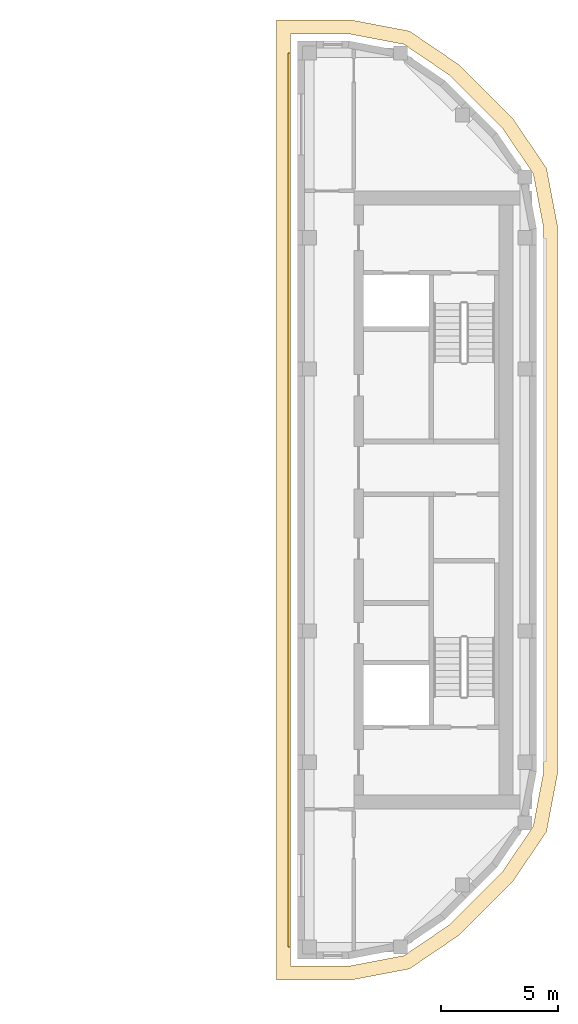
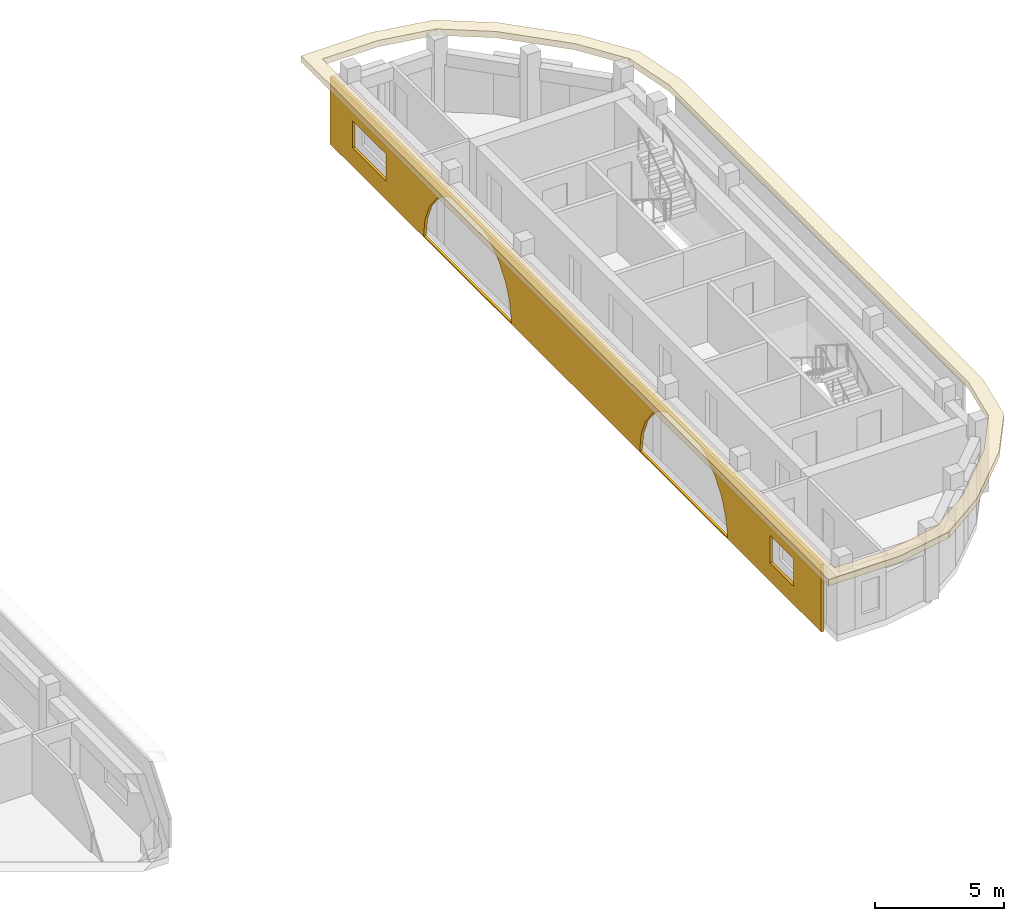
# One storey, part 10 of 12: 2 coverings.
"""IFC4 building model written with IfcOpenShell, lengths in metres."""

import ifcopenshell
import ifcopenshell.guid

model = None  # the IFC model being written
_history = None  # IfcOwnerHistory: only IFC2X3 demands one
_inside = {}  # id of a spatial element -> (the spatial element, [elements in it])
_under = {}  # id of a project, library or spatial element -> (it, [spatial elements below it])
_declared = {}  # id of a project -> (the project, [libraries it declares])
_typed = {}  # id of a type object -> (the type object, [elements of that type])
_made_of = {}  # id of a material, layer set ... -> (it, [elements and type objects made of it])


def new_model(schema):
    """Start an empty IFC model of exactly this schema.

    Asked for "IFC4X3", IfcOpenShell would pick the latest addendum, in which some entities
    have other attributes; the version numbers below select the first issue.
    IFC2X3 requires an IfcOwnerHistory on every rooted entity: one is made here for all.
    """
    global model, _history
    if schema == "IFC4X3":
        model = ifcopenshell.file(schema_version=(4, 3, 0, 0))
    else:
        model = ifcopenshell.file(schema=schema)
    _inside.clear()
    _under.clear()
    _declared.clear()
    _typed.clear()
    _made_of.clear()
    _history = None
    if model.schema == "IFC2X3":
        org = make("IfcOrganization", Name="unknown")
        user = make(
            "IfcPersonAndOrganization",
            ThePerson=make("IfcPerson", FamilyName="unknown"),
            TheOrganization=org,
        )
        app = make(
            "IfcApplication",
            ApplicationDeveloper=org,
            Version="unknown",
            ApplicationFullName="unknown",
            ApplicationIdentifier="unknown",
        )
        _history = make(
            "IfcOwnerHistory",
            OwningUser=user,
            OwningApplication=app,
            ChangeAction="ADDED",
            CreationDate=0,
        )
    return model


def make(cls, **values):
    """One entity of the class cls with the attributes given. An attribute that is None is left unset."""
    return model.create_entity(
        cls, **{name: value for name, value in values.items() if value is not None}
    )


def rooted(cls, **values):
    """An entity with a GlobalId (a new one), such as an element, a storey or a relation."""
    return make(cls, GlobalId=ifcopenshell.guid.new(), OwnerHistory=_history, **values)


def si_unit(unit_type, name, prefix=None):
    """IfcSIUnit, for example si_unit("LENGTHUNIT", "METRE", prefix="MILLI")."""
    return make("IfcSIUnit", UnitType=unit_type, Prefix=prefix, Name=name)


def assignment(units):
    """IfcUnitAssignment: the units of a project."""
    return None if units is None else make("IfcUnitAssignment", Units=units)


def point(xyz):
    """IfcCartesianPoint."""
    return None if xyz is None else make("IfcCartesianPoint", Coordinates=xyz)


def direction(xyz):
    """IfcDirection."""
    return None if xyz is None else make("IfcDirection", DirectionRatios=xyz)


def frame(location, z_axis=None, x_axis=None):
    """IfcAxis2Placement3D, a coordinate frame: its origin and axes. An axis left out is left unset."""
    return make(
        "IfcAxis2Placement3D",
        Location=point(location),
        Axis=direction(z_axis),
        RefDirection=direction(x_axis),
    )


def origin():
    """The frame at (0, 0, 0) with its axes left unset."""
    return frame((0.0, 0.0, 0.0))


def place(relative_to, where):
    """IfcLocalPlacement: puts the frame where relative to a parent placement (None: the world)."""
    return make(
        "IfcLocalPlacement", PlacementRelTo=relative_to, RelativePlacement=where
    )


def context(
    kind, dimensions, precision=None, world=None, true_north=None, identifier=None
):
    """IfcGeometricRepresentationContext, for example the 3D "Model" context."""
    return make(
        "IfcGeometricRepresentationContext",
        ContextIdentifier=identifier,
        ContextType=kind,
        CoordinateSpaceDimension=dimensions,
        Precision=precision,
        WorldCoordinateSystem=world,
        TrueNorth=true_north,
    )


def subcontext(parent, identifier, kind, view, scale=None):
    """IfcGeometricRepresentationSubContext, for example "Body" below "Model"."""
    return make(
        "IfcGeometricRepresentationSubContext",
        ContextIdentifier=identifier,
        ContextType=kind,
        ParentContext=parent,
        TargetScale=scale,
        TargetView=view,
    )


def project(units=None, contexts=None):
    """IfcProject with its units and contexts."""
    return rooted(
        "IfcProject",
        Name="project",
        RepresentationContexts=contexts,
        UnitsInContext=assignment(units),
    )


def spatial(cls, under=None, at=None, **own):
    """A site, building, storey or space (cls), placed at a placement, below another one or the project."""
    s = rooted(cls, ObjectPlacement=at, **own)
    if under is not None:
        _under.setdefault(under.id(), (under, []))[1].append(s)
    return s


def polyline(points):
    """IfcPolyline through the points."""
    return make("IfcPolyline", Points=[point(p) for p in points])


def outline(outer, holes=None, kind="AREA"):
    """IfcArbitraryClosedProfileDef: a profile drawn as a closed curve; with holes, ...WithVoids."""
    if holes is None:
        return make("IfcArbitraryClosedProfileDef", ProfileType=kind, OuterCurve=outer)
    return make(
        "IfcArbitraryProfileDefWithVoids",
        ProfileType=kind,
        OuterCurve=outer,
        InnerCurves=holes,
    )


def extrude(swept, where, along, depth):
    """IfcExtrudedAreaSolid: the profile swept, set in the frame where, extruded along a direction by depth."""
    return make(
        "IfcExtrudedAreaSolid",
        SweptArea=swept,
        Position=where,
        ExtrudedDirection=direction(along),
        Depth=depth,
    )


def shape(context_of_items, identifier, shape_type, items):
    """IfcShapeRepresentation: the items that make up one representation, for example the "Body"."""
    return make(
        "IfcShapeRepresentation",
        ContextOfItems=context_of_items,
        RepresentationIdentifier=identifier,
        RepresentationType=shape_type,
        Items=items,
    )


def material(Name=None, Category=None):
    """IfcMaterial."""
    return make("IfcMaterial", Name=Name, Category=Category)


def layer(
    of_material, thickness, ventilated=None, Name=None, Category=None, Priority=None
):
    """IfcMaterialLayer: one layer of a wall or slab, of a material (None: an air gap)."""
    return make(
        "IfcMaterialLayer",
        Material=of_material,
        LayerThickness=thickness,
        IsVentilated=ventilated,
        Name=Name,
        Category=Category,
        Priority=Priority,
    )


def layer_set(layers, Name=None):
    """IfcMaterialLayerSet."""
    return make("IfcMaterialLayerSet", MaterialLayers=layers, LayerSetName=Name)


def made_of(thing, what):
    """Note that an element or type object is made of a material, layer set ...; save() writes the relation."""
    if what is not None:
        _made_of.setdefault(what.id(), (what, []))[1].append(thing)
    return thing


def type_object(cls, material=None, **own):
    """A type object (cls), such as IfcWallType, which elements share."""
    return made_of(rooted(cls, **own), material)


def element(
    cls,
    number,
    at=None,
    inside=None,
    cuts=None,
    type_object=None,
    material=None,
    context=None,
    identifier="Body",
    shape_type=None,
    held_by="IfcProductDefinitionShape",
    body=None,
    shapes=None,
    **own,
):
    """One element of the class cls, such as IfcWall. Its Tag is "e" and its number.

    at: its placement. inside: the storey or other place that contains it. cuts: it is an
    opening in that element (IfcRelVoidsElement). A single representation is given by context,
    identifier, shape_type and body (its items); several are given by shapes. held_by: the class
    of the entity that holds the representations. save() writes the other relations.
    """
    e = rooted(cls, Tag="e%d" % number, ObjectPlacement=at, **own)
    if body is not None:
        shapes = [shape(context, identifier, shape_type, body)]
    if shapes is not None:
        e.Representation = make(held_by, Representations=shapes)
    if inside is not None:
        _inside.setdefault(inside.id(), (inside, []))[1].append(e)
    if cuts is not None:
        rooted(
            "IfcRelVoidsElement", RelatingBuildingElement=cuts, RelatedOpeningElement=e
        )
    if type_object is not None:
        _typed.setdefault(type_object.id(), (type_object, []))[1].append(e)
    return made_of(e, material)


def aggregate(whole, parts):
    """IfcRelAggregates: a whole, such as a stair, and the parts it consists of."""
    return rooted("IfcRelAggregates", RelatingObject=whole, RelatedObjects=parts)


def save(model, path):
    """Write the relations noted so far, then the file.

    IfcRelAggregates (storeys below a building ...), IfcRelContainedInSpatialStructure (elements
    in a storey), IfcRelDefinesByType, IfcRelAssociatesMaterial and IfcRelDeclares: one each for
    every whole, place, type object, material and project.
    """
    for whole, parts in _under.values():
        aggregate(whole, parts)
    for where, things in _inside.values():
        rooted(
            "IfcRelContainedInSpatialStructure",
            RelatedElements=things,
            RelatingStructure=where,
        )
    for kind, things in _typed.values():
        rooted("IfcRelDefinesByType", RelatedObjects=things, RelatingType=kind)
    for what, things in _made_of.values():
        rooted("IfcRelAssociatesMaterial", RelatedObjects=things, RelatingMaterial=what)
    for by, libraries in _declared.values():
        rooted("IfcRelDeclares", RelatingContext=by, RelatedDefinitions=libraries)
    model.write(path)


model = new_model("IFC4")

# Units and contexts
model_context = context("Model", 3, precision=1e-05, world=origin(), true_north=direction((0.0, 1.0)))
body_context = subcontext(model_context, "Body", "Model", "MODEL_VIEW")
ifc_project = project(units=[si_unit("LENGTHUNIT", "METRE"), si_unit("AREAUNIT", "SQUARE_METRE"), si_unit("VOLUMEUNIT", "CUBIC_METRE"), si_unit("PLANEANGLEUNIT", "RADIAN"), si_unit("MASSUNIT", "GRAM", prefix="KILO")], contexts=[model_context])

# Site, building, storey
site_placement = place(None, origin())
site = spatial("IfcSite", under=ifc_project, at=site_placement, CompositionType="ELEMENT")
building_placement = place(site_placement, origin())
building = spatial("IfcBuilding", under=site, at=building_placement, Name="Kiln Ring Residences", CompositionType="ELEMENT")
storey_placement = place(building_placement, frame((0.0, 0.0, 310.39990234375)))
storey = spatial("IfcBuildingStorey", under=building, at=storey_placement, Name="L80 Crown", CompositionType="ELEMENT", Elevation=310.39990234375)

# Coverings
ifc_material_1 = material(Name="Brick masonry, dark clay brick", Category="masonry")
ifc_layer_1 = layer(ifc_material_1, 0.1201171875)
ifc_layer_set_1 = layer_set([ifc_layer_1], Name="RAINSCREEN PANEL 120")
covering_type_1 = type_object("IfcCoveringType", Name="RAINSCREEN PANEL 120", PredefinedType="CLADDING", material=ifc_layer_set_1)
covering_1_placement = place(storey_placement, frame((14.639892578125, 19.10009765625, 0.0), z_axis=(0.0, 0.0, 1.0), x_axis=(0.0, -1.0, 0.0)))
element("IfcCovering", 1, at=covering_1_placement, inside=storey, type_object=covering_type_1, Name="RAINSCREEN L80 Crown", PredefinedType="CLADDING", context=body_context, shape_type="SweptSolid", body=[
    extrude(outline(polyline([(0.0, 0.0), (38.199951171875, 0.0), (38.199951171875, 3.2001953125), (0.0, 3.2001953125), (0.0, 0.0)]), holes=[polyline([(7.396484375, 0.88525390625), (7.28662109375, 0.050048828125), (14.11328125, 0.050048828125), (14.00341796875, 0.88525390625), (13.661865234375, 1.710205078125), (13.118408203125, 2.41845703125), (12.409912109375, 2.9619140625), (11.955810546875, 3.150146484375), (9.4443359375, 3.150146484375), (8.989990234375, 2.9619140625), (8.28173828125, 2.41845703125), (7.73828125, 1.710205078125), (7.396484375, 0.88525390625)]), polyline([(24.196533203125, 0.88525390625), (24.086669921875, 0.050048828125), (30.913330078125, 0.050048828125), (30.803466796875, 0.88525390625), (30.4619140625, 1.710205078125), (29.918212890625, 2.41845703125), (29.2099609375, 2.9619140625), (28.755615234375, 3.150146484375), (26.244384765625, 3.150146484375), (25.7900390625, 2.9619140625), (25.081787109375, 2.41845703125), (24.5380859375, 1.710205078125), (24.196533203125, 0.88525390625)]), polyline([(4.382568359375, 0.880126953125), (4.382568359375, 2.170166015625), (1.742431640625, 2.170166015625), (1.742431640625, 0.880126953125), (4.382568359375, 0.880126953125)]), polyline([(34.217529296875, 0.880126953125), (36.0576171875, 0.880126953125), (36.0576171875, 2.170166015625), (34.217529296875, 2.170166015625), (34.217529296875, 0.880126953125)])]), frame((0.0, 0.06005859375, 0.0), z_axis=(0.0, -1.0, 0.0), x_axis=(1.0, 0.0, 0.0)), (0.0, 0.0, 1.0), 0.1201171875),
])
ifc_material_2 = material(Name="Black powder-coated steel", Category="steel")
ifc_layer_2 = layer(ifc_material_2, 0.300048828125)
ifc_layer_set_2 = layer_set([ifc_layer_2], Name="SUNSHADE FIN 600")
covering_type_2 = type_object("IfcCoveringType", Name="SUNSHADE FIN 600", PredefinedType="CLADDING", material=ifc_layer_set_2)
covering_2_placement = place(storey_placement, frame((0.0, 0.0, 3.2001953125)))
element("IfcCovering", 2, at=covering_2_placement, inside=storey, type_object=covering_type_2, Name="SUNSHADE FIN L80 Crown", PredefinedType="CLADDING", context=body_context, shape_type="SweptSolid", body=[
    extrude(outline(polyline([(19.77587890625, 20.02490234375), (17.28515625, 20.5), (14.10009765625, 20.5), (14.10009765625, -20.5), (17.28515625, -20.5), (19.77587890625, -20.02490234375), (21.873291015625, -18.599609375), (24.199462890625, -16.273193359375), (25.625, -14.176025390625), (26.10009765625, -11.68505859375), (26.10009765625, 11.68505859375), (25.625, 14.176025390625), (24.199462890625, 16.273193359375), (21.873291015625, 18.599609375), (19.77587890625, 20.02490234375)]), holes=[polyline([(17.228515625, -19.89990234375), (14.699951171875, -19.89990234375), (14.699951171875, 19.89990234375), (17.228515625, 19.89990234375), (19.54150390625, 19.458740234375), (21.489013671875, 18.135009765625), (23.735107421875, 15.88916015625), (25.058837890625, 13.94140625), (25.5, 11.62841796875), (25.5, -11.62841796875), (25.058837890625, -13.94140625), (23.735107421875, -15.88916015625), (21.489013671875, -18.135009765625), (19.54150390625, -19.458740234375), (17.228515625, -19.89990234375)])]), origin(), (0.0, 0.0, 1.0), 0.2998046875),
])

save(model, "model.ifc")
